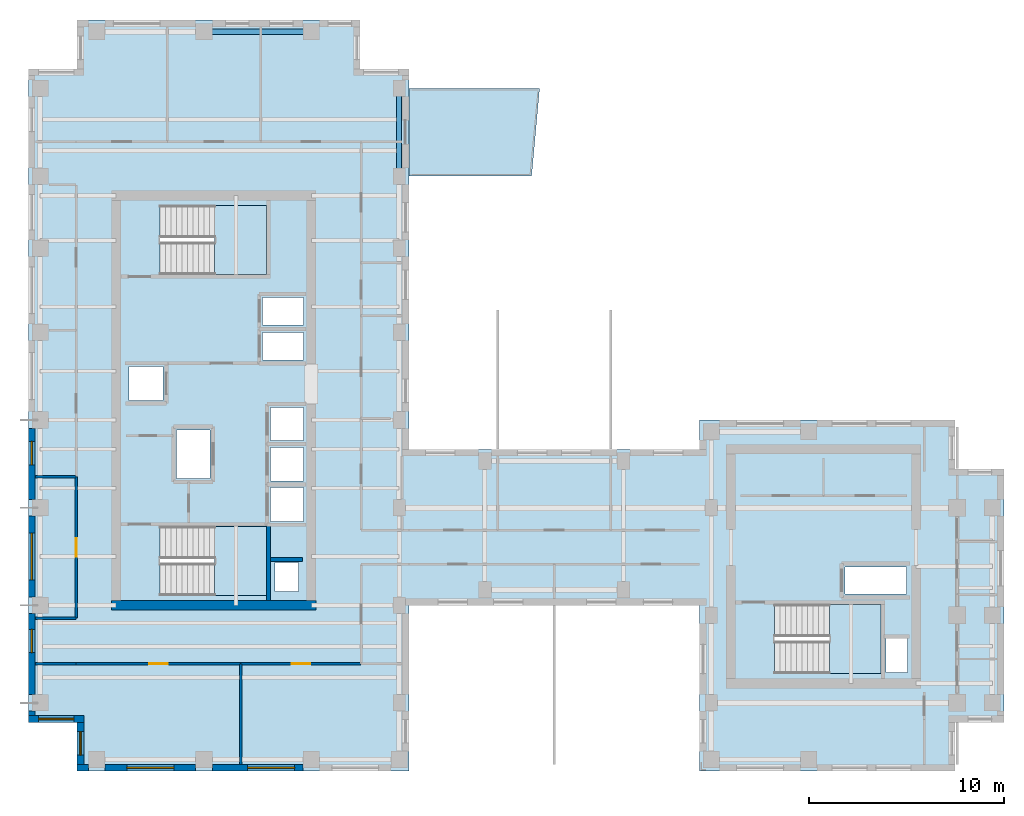
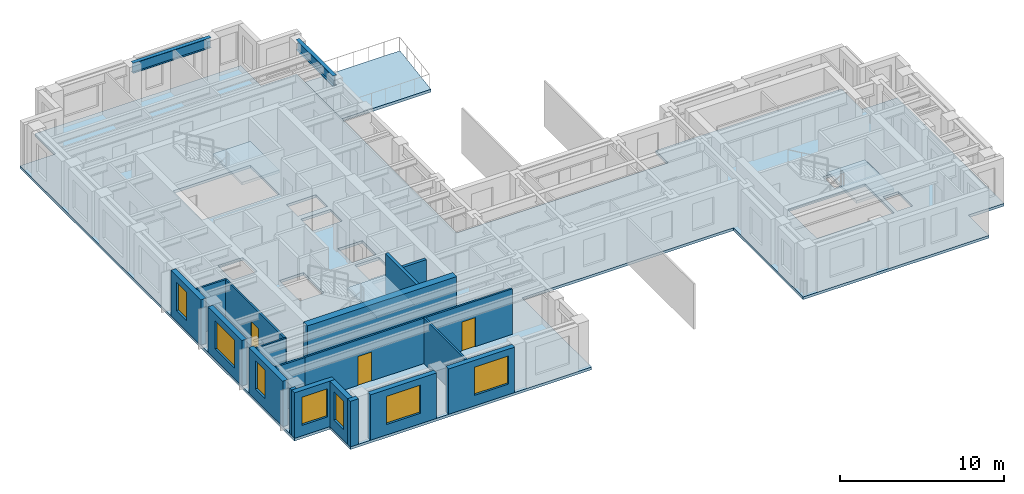
# One storey, part 2 of 10: 19 walls, 7 windows, 5 slabs, 3 doors, 2 beams, 10 openings, 3 elements without a shape of their own.
"""IFC4 building model written with IfcOpenShell, lengths in metres."""

import ifcopenshell
import ifcopenshell.guid

model = None  # the IFC model being written
_history = None  # IfcOwnerHistory: only IFC2X3 demands one
_inside = {}  # id of a spatial element -> (the spatial element, [elements in it])
_under = {}  # id of a project, library or spatial element -> (it, [spatial elements below it])
_declared = {}  # id of a project -> (the project, [libraries it declares])
_typed = {}  # id of a type object -> (the type object, [elements of that type])
_made_of = {}  # id of a material, layer set ... -> (it, [elements and type objects made of it])


def new_model(schema):
    """Start an empty IFC model of exactly this schema.

    Asked for "IFC4X3", IfcOpenShell would pick the latest addendum, in which some entities
    have other attributes; the version numbers below select the first issue.
    IFC2X3 requires an IfcOwnerHistory on every rooted entity: one is made here for all.
    """
    global model, _history
    if schema == "IFC4X3":
        model = ifcopenshell.file(schema_version=(4, 3, 0, 0))
    else:
        model = ifcopenshell.file(schema=schema)
    _inside.clear()
    _under.clear()
    _declared.clear()
    _typed.clear()
    _made_of.clear()
    _history = None
    if model.schema == "IFC2X3":
        org = make("IfcOrganization", Name="unknown")
        user = make(
            "IfcPersonAndOrganization",
            ThePerson=make("IfcPerson", FamilyName="unknown"),
            TheOrganization=org,
        )
        app = make(
            "IfcApplication",
            ApplicationDeveloper=org,
            Version="unknown",
            ApplicationFullName="unknown",
            ApplicationIdentifier="unknown",
        )
        _history = make(
            "IfcOwnerHistory",
            OwningUser=user,
            OwningApplication=app,
            ChangeAction="ADDED",
            CreationDate=0,
        )
    return model


def make(cls, **values):
    """One entity of the class cls with the attributes given. An attribute that is None is left unset."""
    return model.create_entity(
        cls, **{name: value for name, value in values.items() if value is not None}
    )


def rooted(cls, **values):
    """An entity with a GlobalId (a new one), such as an element, a storey or a relation."""
    return make(cls, GlobalId=ifcopenshell.guid.new(), OwnerHistory=_history, **values)


def si_unit(unit_type, name, prefix=None):
    """IfcSIUnit, for example si_unit("LENGTHUNIT", "METRE", prefix="MILLI")."""
    return make("IfcSIUnit", UnitType=unit_type, Prefix=prefix, Name=name)


def assignment(units):
    """IfcUnitAssignment: the units of a project."""
    return None if units is None else make("IfcUnitAssignment", Units=units)


def point(xyz):
    """IfcCartesianPoint."""
    return None if xyz is None else make("IfcCartesianPoint", Coordinates=xyz)


def direction(xyz):
    """IfcDirection."""
    return None if xyz is None else make("IfcDirection", DirectionRatios=xyz)


def frame(location, z_axis=None, x_axis=None):
    """IfcAxis2Placement3D, a coordinate frame: its origin and axes. An axis left out is left unset."""
    return make(
        "IfcAxis2Placement3D",
        Location=point(location),
        Axis=direction(z_axis),
        RefDirection=direction(x_axis),
    )


def frame_2d(location, x_axis=None):
    """IfcAxis2Placement2D, a coordinate frame in the plane: its origin and x axis."""
    return make(
        "IfcAxis2Placement2D", Location=point(location), RefDirection=direction(x_axis)
    )


def origin():
    """The frame at (0, 0, 0) with its axes left unset."""
    return frame((0.0, 0.0, 0.0))


def origin_2d():
    """The frame at (0, 0) in the plane with its x axis left unset."""
    return frame_2d((0.0, 0.0))


def place(relative_to, where):
    """IfcLocalPlacement: puts the frame where relative to a parent placement (None: the world)."""
    return make(
        "IfcLocalPlacement", PlacementRelTo=relative_to, RelativePlacement=where
    )


def context(
    kind, dimensions, precision=None, world=None, true_north=None, identifier=None
):
    """IfcGeometricRepresentationContext, for example the 3D "Model" context."""
    return make(
        "IfcGeometricRepresentationContext",
        ContextIdentifier=identifier,
        ContextType=kind,
        CoordinateSpaceDimension=dimensions,
        Precision=precision,
        WorldCoordinateSystem=world,
        TrueNorth=true_north,
    )


def subcontext(parent, identifier, kind, view, scale=None):
    """IfcGeometricRepresentationSubContext, for example "Body" below "Model"."""
    return make(
        "IfcGeometricRepresentationSubContext",
        ContextIdentifier=identifier,
        ContextType=kind,
        ParentContext=parent,
        TargetScale=scale,
        TargetView=view,
    )


def project(units=None, contexts=None):
    """IfcProject with its units and contexts."""
    return rooted(
        "IfcProject",
        Name="project",
        RepresentationContexts=contexts,
        UnitsInContext=assignment(units),
    )


def spatial(cls, under=None, at=None, **own):
    """A site, building, storey or space (cls), placed at a placement, below another one or the project."""
    s = rooted(cls, ObjectPlacement=at, **own)
    if under is not None:
        _under.setdefault(under.id(), (under, []))[1].append(s)
    return s


def polyline(points):
    """IfcPolyline through the points."""
    return make("IfcPolyline", Points=[point(p) for p in points])


def profile(cls, at=None, kind="AREA", **sizes):
    """A parametric profile (cls). Its sizes go by their IFC names, for example OverallWidth=200.0."""
    return make(cls, ProfileType=kind, Position=at, **sizes)


def rectangle(**sizes):
    """IfcRectangleProfileDef."""
    return profile("IfcRectangleProfileDef", **sizes)


def i_section(**sizes):
    """IfcIShapeProfileDef."""
    return profile("IfcIShapeProfileDef", **sizes)


def outline(outer, holes=None, kind="AREA"):
    """IfcArbitraryClosedProfileDef: a profile drawn as a closed curve; with holes, ...WithVoids."""
    if holes is None:
        return make("IfcArbitraryClosedProfileDef", ProfileType=kind, OuterCurve=outer)
    return make(
        "IfcArbitraryProfileDefWithVoids",
        ProfileType=kind,
        OuterCurve=outer,
        InnerCurves=holes,
    )


def extrude(swept, where, along, depth):
    """IfcExtrudedAreaSolid: the profile swept, set in the frame where, extruded along a direction by depth."""
    return make(
        "IfcExtrudedAreaSolid",
        SweptArea=swept,
        Position=where,
        ExtrudedDirection=direction(along),
        Depth=depth,
    )


def shape(context_of_items, identifier, shape_type, items):
    """IfcShapeRepresentation: the items that make up one representation, for example the "Body"."""
    return make(
        "IfcShapeRepresentation",
        ContextOfItems=context_of_items,
        RepresentationIdentifier=identifier,
        RepresentationType=shape_type,
        Items=items,
    )


def source(mapping_origin, context_of_items, identifier, shape_type, items):
    """IfcRepresentationMap: a shape defined once, which mapped items show again and again."""
    return make(
        "IfcRepresentationMap",
        MappingOrigin=mapping_origin,
        MappedRepresentation=shape(context_of_items, identifier, shape_type, items),
    )


def transform(
    local_origin,
    x_axis=None,
    y_axis=None,
    z_axis=None,
    scale=None,
    scale2=None,
    scale3=None,
    uniform=True,
):
    """IfcCartesianTransformationOperator3D, or its non-uniform kind. x_axis, y_axis, z_axis: its Axis1, 2, 3."""
    if uniform:
        return make(
            "IfcCartesianTransformationOperator3D",
            Axis1=direction(x_axis),
            Axis2=direction(y_axis),
            LocalOrigin=point(local_origin),
            Scale=scale,
            Axis3=direction(z_axis),
        )
    return make(
        "IfcCartesianTransformationOperator3DnonUniform",
        Axis1=direction(x_axis),
        Axis2=direction(y_axis),
        LocalOrigin=point(local_origin),
        Scale=scale,
        Axis3=direction(z_axis),
        Scale2=scale2,
        Scale3=scale3,
    )


def mapped(mapping_source, mapping_target):
    """IfcMappedItem: shows the shape of a source again, moved by a transform."""
    return make(
        "IfcMappedItem", MappingSource=mapping_source, MappingTarget=mapping_target
    )


def material(Name=None, Category=None):
    """IfcMaterial."""
    return make("IfcMaterial", Name=Name, Category=Category)


def layer(
    of_material, thickness, ventilated=None, Name=None, Category=None, Priority=None
):
    """IfcMaterialLayer: one layer of a wall or slab, of a material (None: an air gap)."""
    return make(
        "IfcMaterialLayer",
        Material=of_material,
        LayerThickness=thickness,
        IsVentilated=ventilated,
        Name=Name,
        Category=Category,
        Priority=Priority,
    )


def layer_set(layers, Name=None):
    """IfcMaterialLayerSet."""
    return make("IfcMaterialLayerSet", MaterialLayers=layers, LayerSetName=Name)


def material_profile(
    of_material, cross_section, Name=None, Category=None, Priority=None
):
    """IfcMaterialProfile: a cross section and its material."""
    return make(
        "IfcMaterialProfile",
        Name=Name,
        Material=of_material,
        Profile=cross_section,
        Priority=Priority,
        Category=Category,
    )


def profile_set(profiles, Name=None, composite=None):
    """IfcMaterialProfileSet."""
    return make(
        "IfcMaterialProfileSet",
        Name=Name,
        MaterialProfiles=profiles,
        CompositeProfile=composite,
    )


def made_of(thing, what):
    """Note that an element or type object is made of a material, layer set ...; save() writes the relation."""
    if what is not None:
        _made_of.setdefault(what.id(), (what, []))[1].append(thing)
    return thing


def type_object(cls, material=None, **own):
    """A type object (cls), such as IfcWallType, which elements share."""
    return made_of(rooted(cls, **own), material)


def element(
    cls,
    number,
    at=None,
    inside=None,
    cuts=None,
    type_object=None,
    material=None,
    context=None,
    identifier="Body",
    shape_type=None,
    held_by="IfcProductDefinitionShape",
    body=None,
    shapes=None,
    **own,
):
    """One element of the class cls, such as IfcWall. Its Tag is "e" and its number.

    at: its placement. inside: the storey or other place that contains it. cuts: it is an
    opening in that element (IfcRelVoidsElement). A single representation is given by context,
    identifier, shape_type and body (its items); several are given by shapes. held_by: the class
    of the entity that holds the representations. save() writes the other relations.
    """
    e = rooted(cls, Tag="e%d" % number, ObjectPlacement=at, **own)
    if body is not None:
        shapes = [shape(context, identifier, shape_type, body)]
    if shapes is not None:
        e.Representation = make(held_by, Representations=shapes)
    if inside is not None:
        _inside.setdefault(inside.id(), (inside, []))[1].append(e)
    if cuts is not None:
        rooted(
            "IfcRelVoidsElement", RelatingBuildingElement=cuts, RelatedOpeningElement=e
        )
    if type_object is not None:
        _typed.setdefault(type_object.id(), (type_object, []))[1].append(e)
    return made_of(e, material)


def fill(opening, filler):
    """IfcRelFillsElement: the door or window that sits in an opening."""
    return rooted(
        "IfcRelFillsElement",
        RelatingOpeningElement=opening,
        RelatedBuildingElement=filler,
    )


def aggregate(whole, parts):
    """IfcRelAggregates: a whole, such as a stair, and the parts it consists of."""
    return rooted("IfcRelAggregates", RelatingObject=whole, RelatedObjects=parts)


def save(model, path):
    """Write the relations noted so far, then the file.

    IfcRelAggregates (storeys below a building ...), IfcRelContainedInSpatialStructure (elements
    in a storey), IfcRelDefinesByType, IfcRelAssociatesMaterial and IfcRelDeclares: one each for
    every whole, place, type object, material and project.
    """
    for whole, parts in _under.values():
        aggregate(whole, parts)
    for where, things in _inside.values():
        rooted(
            "IfcRelContainedInSpatialStructure",
            RelatedElements=things,
            RelatingStructure=where,
        )
    for kind, things in _typed.values():
        rooted("IfcRelDefinesByType", RelatedObjects=things, RelatingType=kind)
    for what, things in _made_of.values():
        rooted("IfcRelAssociatesMaterial", RelatedObjects=things, RelatingMaterial=what)
    for by, libraries in _declared.values():
        rooted("IfcRelDeclares", RelatingContext=by, RelatedDefinitions=libraries)
    model.write(path)


model = new_model("IFC4")

# Units and contexts
model_context = context("Model", 3, precision=1e-05, world=origin(), true_north=direction((0.0, 1.0)))
body_context = subcontext(model_context, "Body", "Model", "MODEL_VIEW")
ifc_project = project(units=[si_unit("LENGTHUNIT", "METRE"), si_unit("AREAUNIT", "SQUARE_METRE"), si_unit("VOLUMEUNIT", "CUBIC_METRE"), si_unit("PLANEANGLEUNIT", "RADIAN"), si_unit("MASSUNIT", "GRAM", prefix="KILO")], contexts=[model_context])

# Site, building, storey
site_placement = place(None, origin())
site = spatial("IfcSite", under=ifc_project, at=site_placement, CompositionType="ELEMENT")
building_placement = place(site_placement, origin())
building = spatial("IfcBuilding", under=site, at=building_placement, Name="Kharzan Plaza Tower", CompositionType="ELEMENT")
storey_placement = place(building_placement, frame((0.0, 0.0, 237.60009765625)))
storey = spatial("IfcBuildingStorey", under=building, at=storey_placement, Name="L64", CompositionType="ELEMENT", Elevation=237.60009765625)

# Beams
ifc_material_1 = material(Name="Steel S355", Category="steel")
ifc_material_profile = material_profile(ifc_material_1, i_section(OverallWidth=0.26708984375, OverallDepth=0.76611328125, WebThickness=0.014892578125, FlangeThickness=0.023681640625, at=origin_2d()), Name="W760x185")
ifc_profile_set = profile_set([ifc_material_profile], Name="Steel S355")
beam_type = type_object("IfcBeamType", Name="BM-SP760B", PredefinedType="SPANDREL", material=ifc_profile_set)
shared_shape_1 = source(origin(), body_context, "Body", "SweptSolid", [
    extrude(i_section(OverallWidth=0.26708984375, OverallDepth=0.76611328125, WebThickness=0.014892578125, FlangeThickness=0.023681640625, at=origin_2d()), origin(), (0.0, 0.0, 1.0), 4.5),
])
beam_1_placement = place(storey_placement, frame((19.0, 30.5, 3.016845703125), z_axis=(0.0, 1.0, 0.0), x_axis=(-1.0, 0.0, 0.0)))
element("IfcBeam", 1, at=beam_1_placement, inside=storey, type_object=beam_type, Name="L64 Perimeter Tube Spandrel", PredefinedType="SPANDREL", context=body_context, shape_type="MappedRepresentation", body=[
    mapped(shared_shape_1, transform((0.0, 0.0, 0.0), x_axis=(1.0, 0.0, 0.0), y_axis=(0.0, 1.0, 0.0), z_axis=(0.0, 0.0, 1.0))),
])
shared_shape_2 = source(origin(), body_context, "Body", "SweptSolid", [
    extrude(i_section(OverallWidth=0.26708984375, OverallDepth=0.76611328125, WebThickness=0.014892578125, FlangeThickness=0.023681640625, at=origin_2d()), origin(), (0.0, 0.0, 1.0), 5.5),
])
beam_2_placement = place(storey_placement, frame((9.0, 37.89990234375, 3.016845703125), z_axis=(1.0, 0.0, 0.0), x_axis=(0.0, 1.0, 0.0)))
element("IfcBeam", 2, at=beam_2_placement, inside=storey, type_object=beam_type, Name="L64 Perimeter Tube Spandrel", PredefinedType="SPANDREL", context=body_context, shape_type="MappedRepresentation", body=[
    mapped(shared_shape_2, transform((0.0, 0.0, 0.0), x_axis=(1.0, 0.0, 0.0), y_axis=(0.0, 1.0, 0.0), z_axis=(0.0, 0.0, 1.0))),
])

# Slab
ifc_material_2 = material(Name="Concrete C40/50", Category="concrete")
ifc_layer_1 = layer(ifc_material_2, 0.199951171875)
ifc_layer_set_1 = layer_set([ifc_layer_1], Name="Concrete C40/50")
slab_type_1 = type_object("IfcSlabType", Name="SL-FLOOR-200", PredefinedType="FLOOR", material=ifc_layer_set_1)
slab_1_placement = place(storey_placement, frame((0.0, 0.0, -0.2001953125)))
element("IfcSlab", 3, at=slab_1_placement, inside=storey, type_object=slab_type_1, Name="L64 Composite Structural Floor Slab 200 mm", PredefinedType="FLOOR", context=body_context, shape_type="SweptSolid", body=[
    extrude(outline(polyline([(34.39990234375, 16.5), (19.5, 16.5), (19.5, 36.0), (17.0, 36.0), (17.0, 38.5), (2.5, 38.5), (2.5, 36.0), (0.0, 36.0), (0.0, 2.5), (2.5, 2.5), (2.5, 0.0), (19.5, 0.0), (19.5, 8.5), (34.39990234375, 8.5), (34.39990234375, 0.0), (47.5, 0.0), (47.5, 2.5), (50.0, 2.5), (50.0, 15.5), (47.5, 15.5), (47.5, 18.0), (34.39990234375, 18.0), (34.39990234375, 16.5)]), holes=[polyline([(12.199951171875, 12.550048828125), (6.75, 12.550048828125), (6.75, 9.0), (12.199951171875, 9.0), (12.199951171875, 12.550048828125)]), polyline([(14.10009765625, 12.800048828125), (14.10009765625, 14.530029296875), (12.39990234375, 14.530029296875), (12.39990234375, 12.800048828125), (14.10009765625, 12.800048828125)]), polyline([(9.300048828125, 15.0), (9.300048828125, 17.5), (7.60009765625, 17.5), (7.60009765625, 15.0), (9.300048828125, 15.0)]), polyline([(6.89990234375, 20.72998046875), (5.14990234375, 20.72998046875), (5.14990234375, 19.010009765625), (6.89990234375, 19.010009765625), (6.89990234375, 20.72998046875)]), polyline([(14.10009765625, 21.070068359375), (14.10009765625, 22.489990234375), (12.0, 22.489990234375), (12.0, 21.070068359375), (14.10009765625, 21.070068359375)]), polyline([(14.10009765625, 22.8701171875), (14.10009765625, 24.2900390625), (12.0, 24.2900390625), (12.0, 22.8701171875), (14.10009765625, 22.8701171875)]), polyline([(12.199951171875, 29.0), (6.75, 29.0), (6.75, 25.449951171875), (12.199951171875, 25.449951171875), (12.199951171875, 29.0)]), polyline([(45.050048828125, 5.050048828125), (45.050048828125, 6.800048828125), (43.949951171875, 6.800048828125), (43.949951171875, 5.050048828125), (45.050048828125, 5.050048828125)]), polyline([(43.699951171875, 5.0), (43.699951171875, 8.550048828125), (38.25, 8.550048828125), (38.25, 5.0), (43.699951171875, 5.0)]), polyline([(45.0, 9.070068359375), (45.0, 10.469970703125), (41.85009765625, 10.469970703125), (41.85009765625, 9.070068359375), (45.0, 9.070068359375)]), polyline([(13.85009765625, 9.199951171875), (13.85009765625, 10.699951171875), (12.64990234375, 10.699951171875), (12.64990234375, 9.199951171875), (13.85009765625, 9.199951171875)]), polyline([(14.10009765625, 14.8701171875), (14.10009765625, 16.60009765625), (12.39990234375, 16.60009765625), (12.39990234375, 14.8701171875), (14.10009765625, 14.8701171875)]), polyline([(14.10009765625, 16.93994140625), (14.10009765625, 18.64990234375), (12.39990234375, 18.64990234375), (12.39990234375, 16.93994140625), (14.10009765625, 16.93994140625)])]), origin(), (0.0, 0.0, 1.0), 0.2001953125),
])

# Stair, slab
stair_type_1 = type_object("IfcStairType", Name="STR-ST-1", PredefinedType="HALF_TURN_STAIR", material=ifc_material_2)
stair_1_placement = place(storey_placement, origin())
stair_1 = element("IfcStair", 4, at=stair_1_placement, inside=storey, type_object=stair_type_1, Name="L64 Protected Exit Stair ST-1", PredefinedType="HALF_TURN_STAIR")
ifc_layer_2 = layer(ifc_material_2, 0.219970703125)
ifc_layer_set_2 = layer_set([ifc_layer_2], Name="Concrete C40/50")
slab_type_2 = type_object("IfcSlabType", Name="SL-LANDING-220", PredefinedType="LANDING", material=ifc_layer_set_2)
slab_2_placement = place(storey_placement, frame((0.0, 0.0, 1.599853515625)))
slab_2 = element("IfcSlab", 5, at=slab_2_placement, type_object=slab_type_2, Name="ST-1 landing 1", PredefinedType="LANDING", context=body_context, shape_type="SweptSolid", body=[
    extrude(outline(polyline([(9.550048828125, 9.0), (12.199951171875, 9.0), (12.199951171875, 12.550048828125), (9.550048828125, 12.550048828125), (9.550048828125, 9.0)])), origin(), (0.0, 0.0, 1.0), 0.199951171875),
])
aggregate(stair_1, [slab_2])

stair_type_2 = type_object("IfcStairType", Name="STR-ST-2", PredefinedType="HALF_TURN_STAIR", material=ifc_material_2)
stair_2_placement = place(storey_placement, origin())
stair_2 = element("IfcStair", 6, at=stair_2_placement, inside=storey, type_object=stair_type_2, Name="L64 Protected Exit Stair ST-2", PredefinedType="HALF_TURN_STAIR")
slab_3_placement = place(storey_placement, frame((0.0, 0.0, 1.599853515625)))
slab_3 = element("IfcSlab", 7, at=slab_3_placement, type_object=slab_type_2, Name="ST-2 landing 1", PredefinedType="LANDING", context=body_context, shape_type="SweptSolid", body=[
    extrude(outline(polyline([(9.550048828125, 25.449951171875), (12.199951171875, 25.449951171875), (12.199951171875, 29.0), (9.550048828125, 29.0), (9.550048828125, 25.449951171875)])), origin(), (0.0, 0.0, 1.0), 0.199951171875),
])
aggregate(stair_2, [slab_3])

stair_type_3 = type_object("IfcStairType", Name="STR-ST-3", PredefinedType="HALF_TURN_STAIR", material=ifc_material_2)
stair_3_placement = place(storey_placement, origin())
stair_3 = element("IfcStair", 8, at=stair_3_placement, inside=storey, type_object=stair_type_3, Name="L64 Protected Exit Stair ST-3", PredefinedType="HALF_TURN_STAIR")
slab_4_placement = place(storey_placement, frame((0.0, 0.0, 1.599853515625)))
slab_4 = element("IfcSlab", 9, at=slab_4_placement, type_object=slab_type_2, Name="ST-3 landing 1", PredefinedType="LANDING", context=body_context, shape_type="SweptSolid", body=[
    extrude(outline(polyline([(41.050048828125, 5.0), (43.699951171875, 5.0), (43.699951171875, 8.550048828125), (41.050048828125, 8.550048828125), (41.050048828125, 5.0)])), origin(), (0.0, 0.0, 1.0), 0.199951171875),
])
aggregate(stair_3, [slab_4])

# Slab
ifc_layer_3 = layer(ifc_material_2, 0.215087890625)
ifc_layer_set_3 = layer_set([ifc_layer_3], Name="Concrete C40/50")
slab_type_3 = type_object("IfcSlabType", Name="SL-TRAY-215", PredefinedType="ROOF", material=ifc_layer_set_3)
slab_5_placement = place(storey_placement, frame((0.0, 0.0, -0.215087890625)))
element("IfcSlab", 10, at=slab_5_placement, inside=storey, type_object=slab_type_3, Name="L64 Sky Terrace Tray Slab", PredefinedType="ROOF", context=body_context, shape_type="SweptSolid", body=[
    extrude(outline(polyline([(19.5, 30.5), (25.7900390625, 30.5), (26.199951171875, 35.0), (19.5, 35.0), (19.5, 30.5)])), origin(), (0.0, 0.0, 1.0), 0.215087890625),
])

# Wall, opening, window
ifc_layer_4 = layer(ifc_material_2, 0.35009765625)
ifc_layer_set_4 = layer_set([ifc_layer_4], Name="Concrete C40/50")
wall_type_1 = type_object("IfcWallType", Name="WL-EXT-MAS-Z4", PredefinedType="SOLIDWALL", material=ifc_layer_set_4)
wall_1_placement = place(storey_placement, frame((0.175048828125, 17.576904296875, 0.0), z_axis=(0.0, 0.0, 1.0), x_axis=(0.0, -1.0, 0.0)))
wall_1 = element("IfcWall", 11, at=wall_1_placement, inside=storey, type_object=wall_type_1, Name="L64 Masonry-Frame Exterior Wall 20", PredefinedType="SOLIDWALL", context=body_context, shape_type="SweptSolid", body=[
    extrude(rectangle(XDim=3.65380859375, YDim=0.35009765625, at=frame_2d((1.826904296875, 0.0))), origin(), (0.0, 0.0, 1.0), 3.385009765625),
])
opening_1_placement = place(wall_1_placement, frame((0.673583984375, 0.0, 0.780029296875)))
opening_1 = element("IfcOpeningElement", 12, at=opening_1_placement, cuts=wall_1, Name="Opening W3", PredefinedType="OPENING", context=body_context, shape_type="SweptSolid", body=[
    extrude(rectangle(XDim=1.199951171875, YDim=2.10009765625, at=frame_2d((0.60009765625, 1.050048828125))), frame((0.0, 0.18505859375, 0.0), z_axis=(0.0, -1.0, 0.0), x_axis=(1.0, 0.0, 0.0)), (0.0, 0.0, 1.0), 0.3701171875),
])
ifc_material_3 = material(Name="Low-E Double Glazing", Category="glass")
window_type_1 = type_object("IfcWindowType", Name="WN-REC-1200x2100", PartitioningType="SINGLE_PANEL", PredefinedType="WINDOW", material=ifc_material_3)
shared_shape_3 = source(origin(), body_context, "Body", "SweptSolid", [
    extrude(rectangle(XDim=1.199951171875, YDim=2.10009765625, at=frame_2d((0.60009765625, 1.050048828125))), frame((0.0, 0.030029296875, 0.0), z_axis=(0.0, -1.0, 0.0), x_axis=(1.0, 0.0, 0.0)), (0.0, 0.0, 1.0), 0.06005859375),
])
window_1_placement = place(opening_1_placement, origin())
window_1 = element("IfcWindow", 13, at=window_1_placement, inside=storey, type_object=window_type_1, Name="L64 Recessed Solar-Control Window 20-1", OverallHeight=2.10009765625, OverallWidth=1.199951171875, PartitioningType="SINGLE_PANEL", PredefinedType="WINDOW", context=body_context, shape_type="MappedRepresentation", body=[
    mapped(shared_shape_3, transform((0.0, 0.0, 0.0), x_axis=(1.0, 0.0, 0.0), y_axis=(0.0, 1.0, 0.0), z_axis=(0.0, 0.0, 1.0))),
])
fill(opening_1, window_1)

wall_2_placement = place(storey_placement, frame((0.175048828125, 13.076904296875, 0.0), z_axis=(0.0, 0.0, 1.0), x_axis=(0.0, -1.0, 0.0)))
wall_2 = element("IfcWall", 14, at=wall_2_placement, inside=storey, type_object=wall_type_1, Name="L64 Masonry-Frame Exterior Wall 21", PredefinedType="SOLIDWALL", context=body_context, shape_type="SweptSolid", body=[
    extrude(rectangle(XDim=4.15380859375, YDim=0.35009765625, at=frame_2d((2.076904296875, 0.0))), origin(), (0.0, 0.0, 1.0), 3.385009765625),
])
opening_2_placement = place(wall_2_placement, frame((0.876953125, 0.0, 0.780029296875)))
opening_2 = element("IfcOpeningElement", 15, at=opening_2_placement, cuts=wall_2, Name="Opening W2", PredefinedType="OPENING", context=body_context, shape_type="SweptSolid", body=[
    extrude(rectangle(XDim=2.39990234375, YDim=2.10009765625, at=frame_2d((1.199951171875, 1.050048828125))), frame((0.0, 0.18505859375, 0.0), z_axis=(0.0, -1.0, 0.0), x_axis=(1.0, 0.0, 0.0)), (0.0, 0.0, 1.0), 0.3701171875),
])
window_type_2 = type_object("IfcWindowType", Name="WN-REC-2400x2100", PartitioningType="SINGLE_PANEL", PredefinedType="WINDOW", material=ifc_material_3)
shared_shape_4 = source(origin(), body_context, "Body", "SweptSolid", [
    extrude(rectangle(XDim=2.39990234375, YDim=2.10009765625, at=frame_2d((1.199951171875, 1.050048828125))), frame((0.0, 0.030029296875, 0.0), z_axis=(0.0, -1.0, 0.0), x_axis=(1.0, 0.0, 0.0)), (0.0, 0.0, 1.0), 0.06005859375),
])
window_2_placement = place(opening_2_placement, origin())
window_2 = element("IfcWindow", 16, at=window_2_placement, inside=storey, type_object=window_type_2, Name="L64 Wide Recessed Solar-Control Window 21-1", OverallHeight=2.10009765625, OverallWidth=2.39990234375, PartitioningType="SINGLE_PANEL", PredefinedType="WINDOW", context=body_context, shape_type="MappedRepresentation", body=[
    mapped(shared_shape_4, transform((0.0, 0.0, 0.0), x_axis=(1.0, 0.0, 0.0), y_axis=(0.0, 1.0, 0.0), z_axis=(0.0, 0.0, 1.0))),
])
fill(opening_2, window_2)

wall_3_placement = place(storey_placement, frame((0.175048828125, 8.076904296875, 0.0), z_axis=(0.0, 0.0, 1.0), x_axis=(0.0, -1.0, 0.0)))
wall_3 = element("IfcWall", 17, at=wall_3_placement, inside=storey, type_object=wall_type_1, Name="L64 Masonry-Frame Exterior Wall 22", PredefinedType="SOLIDWALL", context=body_context, shape_type="SweptSolid", body=[
    extrude(rectangle(XDim=4.15380859375, YDim=0.35009765625, at=frame_2d((2.076904296875, 0.0))), origin(), (0.0, 0.0, 1.0), 3.385009765625),
])
opening_3_placement = place(wall_3_placement, frame((0.802001953125, 0.0, 0.780029296875)))
opening_3 = element("IfcOpeningElement", 18, at=opening_3_placement, cuts=wall_3, Name="Opening W3", PredefinedType="OPENING", context=body_context, shape_type="SweptSolid", body=[
    extrude(rectangle(XDim=1.199951171875, YDim=2.10009765625, at=frame_2d((0.60009765625, 1.050048828125))), frame((0.0, 0.18505859375, 0.0), z_axis=(0.0, -1.0, 0.0), x_axis=(1.0, 0.0, 0.0)), (0.0, 0.0, 1.0), 0.3701171875),
])
window_3_placement = place(opening_3_placement, origin())
window_3 = element("IfcWindow", 19, at=window_3_placement, inside=storey, type_object=window_type_1, Name="L64 Recessed Solar-Control Window 22-1", OverallHeight=2.10009765625, OverallWidth=1.199951171875, PartitioningType="SINGLE_PANEL", PredefinedType="WINDOW", context=body_context, shape_type="MappedRepresentation", body=[
    mapped(shared_shape_3, transform((0.0, 0.0, 0.0), x_axis=(1.0, 0.0, 0.0), y_axis=(0.0, 1.0, 0.0), z_axis=(0.0, 0.0, 1.0))),
])
fill(opening_3, window_3)

wall_4_placement = place(storey_placement, frame((0.0, 2.675048828125, 0.0), z_axis=(0.0, 0.0, 1.0), x_axis=(1.0, 0.0, 0.0)))
wall_4 = element("IfcWall", 20, at=wall_4_placement, inside=storey, type_object=wall_type_1, Name="L64 Masonry-Frame Exterior Wall 24", PredefinedType="SOLIDWALL", context=body_context, shape_type="SweptSolid", body=[
    extrude(rectangle(XDim=2.85009765625, YDim=0.35009765625, at=frame_2d((1.425048828125, 0.0))), origin(), (0.0, 0.0, 1.0), 3.385009765625),
])
opening_4_placement = place(wall_4_placement, frame((0.52490234375, 0.0, 0.780029296875)))
opening_4 = element("IfcOpeningElement", 21, at=opening_4_placement, cuts=wall_4, Name="Opening W1", PredefinedType="OPENING", context=body_context, shape_type="SweptSolid", body=[
    extrude(rectangle(XDim=1.800048828125, YDim=2.10009765625, at=frame_2d((0.89990234375, 1.050048828125))), frame((0.0, 0.18505859375, 0.0), z_axis=(0.0, -1.0, 0.0), x_axis=(1.0, 0.0, 0.0)), (0.0, 0.0, 1.0), 0.3701171875),
])
window_type_3 = type_object("IfcWindowType", Name="WN-REC-1800x2100", PartitioningType="SINGLE_PANEL", PredefinedType="WINDOW", material=ifc_material_3)
shared_shape_5 = source(origin(), body_context, "Body", "SweptSolid", [
    extrude(rectangle(XDim=1.800048828125, YDim=2.10009765625, at=frame_2d((0.89990234375, 1.050048828125))), frame((0.0, 0.030029296875, 0.0), z_axis=(0.0, -1.0, 0.0), x_axis=(1.0, 0.0, 0.0)), (0.0, 0.0, 1.0), 0.06005859375),
])
window_4_placement = place(opening_4_placement, origin())
window_4 = element("IfcWindow", 22, at=window_4_placement, inside=storey, type_object=window_type_3, Name="L64 Recessed Solar-Control Window 24-1", OverallHeight=2.10009765625, OverallWidth=1.800048828125, PartitioningType="SINGLE_PANEL", PredefinedType="WINDOW", context=body_context, shape_type="MappedRepresentation", body=[
    mapped(shared_shape_5, transform((0.0, 0.0, 0.0), x_axis=(1.0, 0.0, 0.0), y_axis=(0.0, 1.0, 0.0), z_axis=(0.0, 0.0, 1.0))),
])
fill(opening_4, window_4)

wall_5_placement = place(storey_placement, frame((2.675048828125, 2.501953125, 0.0), z_axis=(0.0, 0.0, 1.0), x_axis=(0.0, -1.0, 0.0)))
wall_5 = element("IfcWall", 23, at=wall_5_placement, inside=storey, type_object=wall_type_1, Name="L64 Masonry-Frame Exterior Wall 25", PredefinedType="SOLIDWALL", context=body_context, shape_type="SweptSolid", body=[
    extrude(rectangle(XDim=2.154052734375, YDim=0.35009765625, at=frame_2d((1.0771484375, 0.0))), origin(), (0.0, 0.0, 1.0), 3.385009765625),
])
opening_5_placement = place(wall_5_placement, frame((0.47705078125, 0.0, 0.780029296875)))
opening_5 = element("IfcOpeningElement", 24, at=opening_5_placement, cuts=wall_5, Name="Opening W3", PredefinedType="OPENING", context=body_context, shape_type="SweptSolid", body=[
    extrude(rectangle(XDim=1.199951171875, YDim=2.10009765625, at=frame_2d((0.60009765625, 1.050048828125))), frame((0.0, 0.18505859375, 0.0), z_axis=(0.0, -1.0, 0.0), x_axis=(1.0, 0.0, 0.0)), (0.0, 0.0, 1.0), 0.3701171875),
])
window_5_placement = place(opening_5_placement, origin())
window_5 = element("IfcWindow", 25, at=window_5_placement, inside=storey, type_object=window_type_1, Name="L64 Recessed Solar-Control Window 25-1", OverallHeight=2.10009765625, OverallWidth=1.199951171875, PartitioningType="SINGLE_PANEL", PredefinedType="WINDOW", context=body_context, shape_type="MappedRepresentation", body=[
    mapped(shared_shape_3, transform((0.0, 0.0, 0.0), x_axis=(1.0, 0.0, 0.0), y_axis=(0.0, 1.0, 0.0), z_axis=(0.0, 0.0, 1.0))),
])
fill(opening_5, window_5)

wall_6_placement = place(storey_placement, frame((3.923095703125, 0.175048828125, 0.0), z_axis=(0.0, 0.0, 1.0), x_axis=(1.0, 0.0, 0.0)))
wall_6 = element("IfcWall", 26, at=wall_6_placement, inside=storey, type_object=wall_type_1, Name="L64 Masonry-Frame Exterior Wall 27", PredefinedType="SOLIDWALL", context=body_context, shape_type="SweptSolid", body=[
    extrude(rectangle(XDim=4.65380859375, YDim=0.35009765625, at=frame_2d((2.326904296875, 0.0))), origin(), (0.0, 0.0, 1.0), 3.385009765625),
])
opening_6_placement = place(wall_6_placement, frame((1.126953125, 0.0, 0.780029296875)))
opening_6 = element("IfcOpeningElement", 27, at=opening_6_placement, cuts=wall_6, Name="Opening W2", PredefinedType="OPENING", context=body_context, shape_type="SweptSolid", body=[
    extrude(rectangle(XDim=2.39990234375, YDim=2.10009765625, at=frame_2d((1.199951171875, 1.050048828125))), frame((0.0, 0.18505859375, 0.0), z_axis=(0.0, -1.0, 0.0), x_axis=(1.0, 0.0, 0.0)), (0.0, 0.0, 1.0), 0.3701171875),
])
window_6_placement = place(opening_6_placement, origin())
window_6 = element("IfcWindow", 28, at=window_6_placement, inside=storey, type_object=window_type_2, Name="L64 Wide Recessed Solar-Control Window 27-1", OverallHeight=2.10009765625, OverallWidth=2.39990234375, PartitioningType="SINGLE_PANEL", PredefinedType="WINDOW", context=body_context, shape_type="MappedRepresentation", body=[
    mapped(shared_shape_4, transform((0.0, 0.0, 0.0), x_axis=(1.0, 0.0, 0.0), y_axis=(0.0, 1.0, 0.0), z_axis=(0.0, 0.0, 1.0))),
])
fill(opening_6, window_6)

wall_7_placement = place(storey_placement, frame((9.423095703125, 0.175048828125, 0.0), z_axis=(0.0, 0.0, 1.0), x_axis=(1.0, 0.0, 0.0)))
wall_7 = element("IfcWall", 29, at=wall_7_placement, inside=storey, type_object=wall_type_1, Name="L64 Masonry-Frame Exterior Wall 28", PredefinedType="SOLIDWALL", context=body_context, shape_type="SweptSolid", body=[
    extrude(rectangle(XDim=4.65380859375, YDim=0.35009765625, at=frame_2d((2.326904296875, 0.0))), origin(), (0.0, 0.0, 1.0), 3.385009765625),
])
opening_7_placement = place(wall_7_placement, frame((1.818115234375, 0.0, 0.780029296875)))
opening_7 = element("IfcOpeningElement", 30, at=opening_7_placement, cuts=wall_7, Name="Opening W2", PredefinedType="OPENING", context=body_context, shape_type="SweptSolid", body=[
    extrude(rectangle(XDim=2.39990234375, YDim=2.10009765625, at=frame_2d((1.199951171875, 1.050048828125))), frame((0.0, 0.18505859375, 0.0), z_axis=(0.0, -1.0, 0.0), x_axis=(1.0, 0.0, 0.0)), (0.0, 0.0, 1.0), 0.3701171875),
])
window_7_placement = place(opening_7_placement, origin())
window_7 = element("IfcWindow", 31, at=window_7_placement, inside=storey, type_object=window_type_2, Name="L64 Wide Recessed Solar-Control Window 28-1", OverallHeight=2.10009765625, OverallWidth=2.39990234375, PartitioningType="SINGLE_PANEL", PredefinedType="WINDOW", context=body_context, shape_type="MappedRepresentation", body=[
    mapped(shared_shape_4, transform((0.0, 0.0, 0.0), x_axis=(1.0, 0.0, 0.0), y_axis=(0.0, 1.0, 0.0), z_axis=(0.0, 0.0, 1.0))),
])
fill(opening_7, window_7)

# Wall, opening, door
ifc_material_4 = material(Name="Fire-Rated Gypsum Board Partition", Category="gypsum")
ifc_layer_5 = layer(ifc_material_4, 0.125)
ifc_layer_set_5 = layer_set([ifc_layer_5], Name="Fire-Rated Gypsum Board Partition")
wall_type_2 = type_object("IfcWallType", Name="WL-INT-PART-125", PredefinedType="PARTITIONING", material=ifc_layer_set_5)
wall_8_placement = place(storey_placement, frame((2.449951171875, 5.5, 0.0), z_axis=(0.0, 0.0, 1.0), x_axis=(1.0, 0.0, 0.0)))
wall_8 = element("IfcWall", 32, at=wall_8_placement, inside=storey, type_object=wall_type_2, Name="L64 Interior Partition SH-SS-1", PredefinedType="PARTITIONING", context=body_context, shape_type="SweptSolid", body=[
    extrude(rectangle(XDim=8.425048828125, YDim=0.125, at=frame_2d((4.21240234375, 0.0))), origin(), (0.0, 0.0, 1.0), 3.385009765625),
])
opening_8_placement = place(wall_8_placement, frame((3.737548828125, 0.0, 0.0)))
opening_8 = element("IfcOpeningElement", 33, at=opening_8_placement, cuts=wall_8, Name="Opening OD1", PredefinedType="OPENING", context=body_context, shape_type="SweptSolid", body=[
    extrude(rectangle(XDim=0.949951171875, YDim=2.14990234375, at=frame_2d((0.47509765625, 1.074951171875))), frame((0.0, 0.072509765625, 0.0), z_axis=(0.0, -1.0, 0.0), x_axis=(1.0, 0.0, 0.0)), (0.0, 0.0, 1.0), 0.14501953125),
])
ifc_material_5 = material(Name="Acoustic Solid-Core Stained Oak", Category="timber")
door_type = type_object("IfcDoorType", Name="DR-OFF-SINGLE", OperationType="NOTDEFINED", PredefinedType="DOOR", material=ifc_material_5)
shared_shape_6 = source(origin(), body_context, "Body", "SweptSolid", [
    extrude(rectangle(XDim=0.949951171875, YDim=2.14990234375, at=frame_2d((0.47509765625, 1.074951171875))), frame((0.0, 0.02490234375, 0.0), z_axis=(0.0, -1.0, 0.0), x_axis=(1.0, 0.0, 0.0)), (0.0, 0.0, 1.0), 0.050048828125),
])
door_1_placement = place(opening_8_placement, origin())
door_1 = element("IfcDoor", 34, at=door_1_placement, inside=storey, type_object=door_type, Name="L64 Executive Boardroom Door", OperationType="SINGLE_SWING_LEFT", OverallHeight=2.14990234375, OverallWidth=0.949951171875, PredefinedType="DOOR", context=body_context, shape_type="MappedRepresentation", body=[
    mapped(shared_shape_6, transform((0.0, 0.0, 0.0), x_axis=(1.0, 0.0, 0.0), y_axis=(0.0, 1.0, 0.0), z_axis=(0.0, 0.0, 1.0))),
])
fill(opening_8, door_1)

wall_9_placement = place(storey_placement, frame((10.875, 5.5, 0.0), z_axis=(0.0, 0.0, 1.0), x_axis=(1.0, 0.0, 0.0)))
wall_9 = element("IfcWall", 35, at=wall_9_placement, inside=storey, type_object=wall_type_2, Name="L64 Interior Partition SH-SS-2", PredefinedType="PARTITIONING", context=body_context, shape_type="SweptSolid", body=[
    extrude(rectangle(XDim=6.175048828125, YDim=0.125, at=frame_2d((3.08740234375, 0.0))), origin(), (0.0, 0.0, 1.0), 3.385009765625),
])
opening_9_placement = place(wall_9_placement, frame((2.612548828125, 0.0, 0.0)))
opening_9 = element("IfcOpeningElement", 36, at=opening_9_placement, cuts=wall_9, Name="Opening OD1", PredefinedType="OPENING", context=body_context, shape_type="SweptSolid", body=[
    extrude(rectangle(XDim=0.949951171875, YDim=2.14990234375, at=frame_2d((0.47509765625, 1.074951171875))), frame((0.0, 0.072509765625, 0.0), z_axis=(0.0, -1.0, 0.0), x_axis=(1.0, 0.0, 0.0)), (0.0, 0.0, 1.0), 0.14501953125),
])
door_2_placement = place(opening_9_placement, origin())
door_2 = element("IfcDoor", 37, at=door_2_placement, inside=storey, type_object=door_type, Name="L64 Staff Tea Pantry Door", OperationType="SINGLE_SWING_RIGHT", OverallHeight=2.14990234375, OverallWidth=0.949951171875, PredefinedType="DOOR", context=body_context, shape_type="MappedRepresentation", body=[
    mapped(shared_shape_6, transform((0.0, 0.0, 0.0), x_axis=(1.0, 0.0, 0.0), y_axis=(0.0, 1.0, 0.0), z_axis=(0.0, 0.0, 1.0))),
])
fill(opening_9, door_2)

wall_10_placement = place(storey_placement, frame((2.449951171875, 7.85009765625, 0.0), z_axis=(0.0, 0.0, 1.0), x_axis=(0.0, 1.0, 0.0)))
wall_10 = element("IfcWall", 38, at=wall_10_placement, inside=storey, type_object=wall_type_2, Name="L64 Interior Partition SH-WW-1", PredefinedType="PARTITIONING", context=body_context, shape_type="SweptSolid", body=[
    extrude(rectangle(XDim=7.25, YDim=0.125, at=frame_2d((3.625, 0.0))), origin(), (0.0, 0.0, 1.0), 3.385009765625),
])
opening_10_placement = place(wall_10_placement, frame((3.14990234375, 0.0, 0.0)))
opening_10 = element("IfcOpeningElement", 39, at=opening_10_placement, cuts=wall_10, Name="Opening OD1", PredefinedType="OPENING", context=body_context, shape_type="SweptSolid", body=[
    extrude(rectangle(XDim=0.949951171875, YDim=2.14990234375, at=frame_2d((0.47509765625, 1.074951171875))), frame((0.0, 0.072509765625, 0.0), z_axis=(0.0, -1.0, 0.0), x_axis=(1.0, 0.0, 0.0)), (0.0, 0.0, 1.0), 0.14501953125),
])
door_3_placement = place(opening_10_placement, origin())
door_3 = element("IfcDoor", 40, at=door_3_placement, inside=storey, type_object=door_type, Name="L64 Conference Room Door", OperationType="SINGLE_SWING_RIGHT", OverallHeight=2.14990234375, OverallWidth=0.949951171875, PredefinedType="DOOR", context=body_context, shape_type="MappedRepresentation", body=[
    mapped(shared_shape_6, transform((0.0, 0.0, 0.0), x_axis=(1.0, 0.0, 0.0), y_axis=(0.0, 1.0, 0.0), z_axis=(0.0, 0.0, 1.0))),
])
fill(opening_10, door_3)

# Walls
shared_shape_7 = source(origin(), body_context, "Body", "SweptSolid", [
    extrude(rectangle(XDim=2.097900390625, YDim=0.125, at=frame_2d((1.048828125, 0.0))), origin(), (0.0, 0.0, 1.0), 3.385009765625),
])
for number, where, z_axis, x_axis, name in (
    (41, (0.35205078125, 7.85009765625, 0.0), (0.0, 0.0, 1.0), (1.0, 0.0, 0.0), "L64 Interior Partition SH-RWS0"),
    (42, (0.35205078125, 5.5, 0.0), (0.0, 0.0, 1.0), (1.0, 0.0, 0.0), "L64 Interior Partition SH-SS-EXT"),
    (43, (0.35205078125, 15.10009765625, 0.0), (0.0, 0.0, 1.0), (1.0, 0.0, 0.0), "L64 Interior Partition SH-WH-1"),
):
    element("IfcWall", number, at=place(storey_placement, frame(where, z_axis=z_axis, x_axis=x_axis)), inside=storey, type_object=wall_type_2, Name=name, PredefinedType="PARTITIONING", context=body_context, shape_type="MappedRepresentation", body=[
        mapped(shared_shape_7, transform((0.0, 0.0, 0.0), x_axis=(1.0, 0.0, 0.0), y_axis=(0.0, 1.0, 0.0), z_axis=(0.0, 0.0, 1.0))),
    ])
ifc_layer_6 = layer(ifc_material_2, 0.199951171875)
ifc_layer_set_6 = layer_set([ifc_layer_6], Name="Concrete C40/50")
wall_type_3 = type_object("IfcWallType", Name="WL-INT-SHAFT-200", PredefinedType="PARTITIONING", material=ifc_layer_set_6)
shared_shape_8 = source(origin(), body_context, "Body", "SweptSolid", [
    extrude(rectangle(XDim=1.630126953125, YDim=0.199951171875, at=frame_2d((0.81494140625, 0.0))), origin(), (0.0, 0.0, 1.0), 3.385009765625),
])
wall_11_placement = place(storey_placement, frame((12.419921875, 10.85009765625, 0.0), z_axis=(0.0, 0.0, 1.0), x_axis=(1.0, 0.0, 0.0)))
element("IfcWall", 44, at=wall_11_placement, inside=storey, type_object=wall_type_3, Name="L64 Interior Partition CA-RSRA-N", PredefinedType="PARTITIONING", context=body_context, shape_type="MappedRepresentation", body=[
    mapped(shared_shape_8, transform((0.0, 0.0, 0.0), x_axis=(1.0, 0.0, 0.0), y_axis=(0.0, 1.0, 0.0), z_axis=(0.0, 0.0, 1.0))),
])
shared_shape_9 = source(origin(), body_context, "Body", "SweptSolid", [
    extrude(rectangle(XDim=0.576904296875, YDim=0.35009765625, at=frame_2d((0.28857421875, 0.0))), origin(), (0.0, 0.0, 1.0), 3.385009765625),
])
wall_12_placement = place(storey_placement, frame((2.5, 0.175048828125, 0.0), z_axis=(0.0, 0.0, 1.0), x_axis=(1.0, 0.0, 0.0)))
element("IfcWall", 45, at=wall_12_placement, inside=storey, type_object=wall_type_1, Name="L64 Masonry-Frame Exterior Wall 26", PredefinedType="SOLIDWALL", context=body_context, shape_type="MappedRepresentation", body=[
    mapped(shared_shape_9, transform((0.0, 0.0, 0.0), x_axis=(1.0, 0.0, 0.0), y_axis=(0.0, 1.0, 0.0), z_axis=(0.0, 0.0, 1.0))),
])
shared_shape_10 = source(origin(), body_context, "Body", "SweptSolid", [
    extrude(rectangle(XDim=0.22900390625, YDim=0.35009765625, at=frame_2d((0.114501953125, 0.0))), origin(), (0.0, 0.0, 1.0), 3.385009765625),
])
wall_13_placement = place(storey_placement, frame((0.175048828125, 3.076904296875, 0.0), z_axis=(0.0, 0.0, 1.0), x_axis=(0.0, -1.0, 0.0)))
element("IfcWall", 46, at=wall_13_placement, inside=storey, type_object=wall_type_1, Name="L64 Masonry-Frame Exterior Wall 23", PredefinedType="SOLIDWALL", context=body_context, shape_type="MappedRepresentation", body=[
    mapped(shared_shape_10, transform((0.0, 0.0, 0.0), x_axis=(1.0, 0.0, 0.0), y_axis=(0.0, 1.0, 0.0), z_axis=(0.0, 0.0, 1.0))),
])
ifc_material_6 = material(Name="Concrete C50/60", Category="concrete")
ifc_layer_7 = layer(ifc_material_6, 0.5)
ifc_layer_set_7 = layer_set([ifc_layer_7], Name="Concrete C50/60")
wall_type_4 = type_object("IfcWallType", Name="WL-CORE-500", PredefinedType="SHEAR", material=ifc_layer_set_7)
shared_shape_11 = source(origin(), body_context, "Body", "SweptSolid", [
    extrude(rectangle(XDim=10.5, YDim=0.5, at=frame_2d((5.25, 0.0))), origin(), (0.0, 0.0, 1.0), 3.39990234375),
])
wall_14_placement = place(storey_placement, frame((4.25, 8.5, 0.0), z_axis=(0.0, 0.0, 1.0), x_axis=(1.0, 0.0, 0.0)))
element("IfcWall", 47, at=wall_14_placement, inside=storey, type_object=wall_type_4, Name="L64 CORE-A south RC shear wall", PredefinedType="SHEAR", context=body_context, shape_type="MappedRepresentation", body=[
    mapped(shared_shape_11, transform((0.0, 0.0, 0.0), x_axis=(1.0, 0.0, 0.0), y_axis=(0.0, 1.0, 0.0), z_axis=(0.0, 0.0, 1.0))),
])
shared_shape_12 = source(origin(), body_context, "Body", "SweptSolid", [
    extrude(rectangle(XDim=5.14794921875, YDim=0.125, at=frame_2d((2.573974609375, 0.0))), origin(), (0.0, 0.0, 1.0), 3.385009765625),
])
wall_15_placement = place(storey_placement, frame((10.875, 0.35205078125, 0.0), z_axis=(0.0, 0.0, 1.0), x_axis=(0.0, 1.0, 0.0)))
element("IfcWall", 48, at=wall_15_placement, inside=storey, type_object=wall_type_2, Name="L64 Interior Partition SH-SV-1", PredefinedType="PARTITIONING", context=body_context, shape_type="MappedRepresentation", body=[
    mapped(shared_shape_12, transform((0.0, 0.0, 0.0), x_axis=(1.0, 0.0, 0.0), y_axis=(0.0, 1.0, 0.0), z_axis=(0.0, 0.0, 1.0))),
])
ifc_layer_8 = layer(ifc_material_6, 0.199951171875)
ifc_layer_set_8 = layer_set([ifc_layer_8], Name="Concrete C50/60")
wall_type_5 = type_object("IfcWallType", Name="WL-SHAFT-RC200", PredefinedType="SHEAR", material=ifc_layer_set_8)
shared_shape_13 = source(origin(), body_context, "Body", "SweptSolid", [
    extrude(rectangle(XDim=3.802978515625, YDim=0.199951171875, at=frame_2d((1.9013671875, 0.0))), origin(), (0.0, 0.0, 1.0), 3.39990234375),
])
wall_16_placement = place(storey_placement, frame((12.304931640625, 8.751953125, 0.0), z_axis=(0.0, 0.0, 1.0), x_axis=(0.0, 1.0, 0.0)))
element("IfcWall", 49, at=wall_16_placement, inside=storey, type_object=wall_type_5, Name="L64 Stair ST-1 East RC Shaft Wall", PredefinedType="SHEAR", context=body_context, shape_type="MappedRepresentation", body=[
    mapped(shared_shape_13, transform((0.0, 0.0, 0.0), x_axis=(1.0, 0.0, 0.0), y_axis=(0.0, 1.0, 0.0), z_axis=(0.0, 0.0, 1.0))),
])

save(model, "model.ifc")
